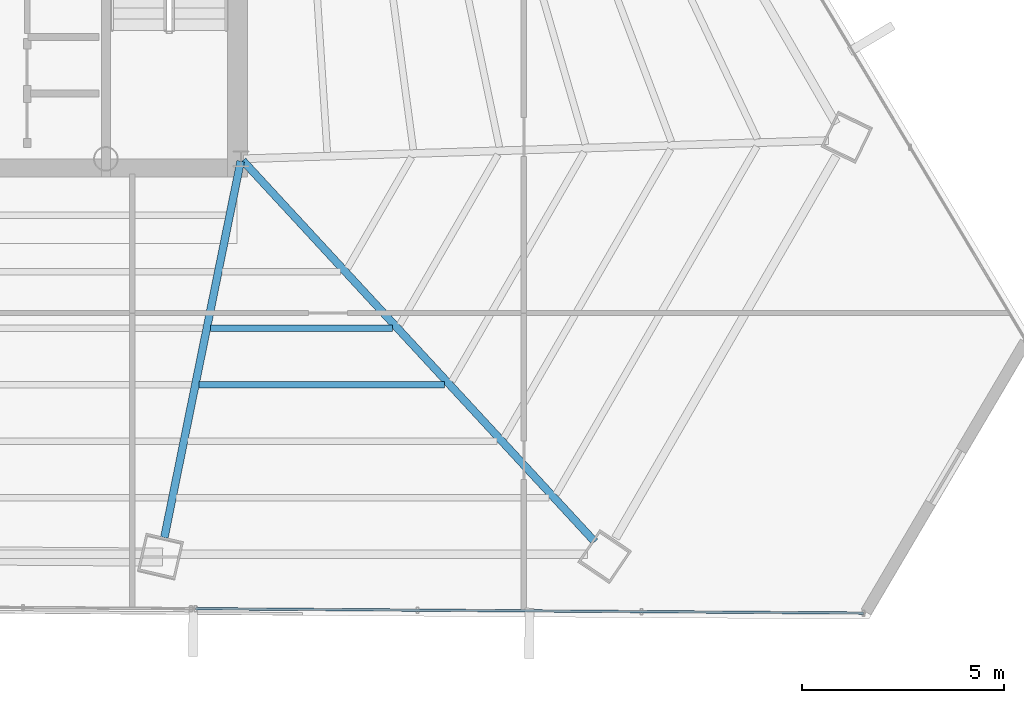
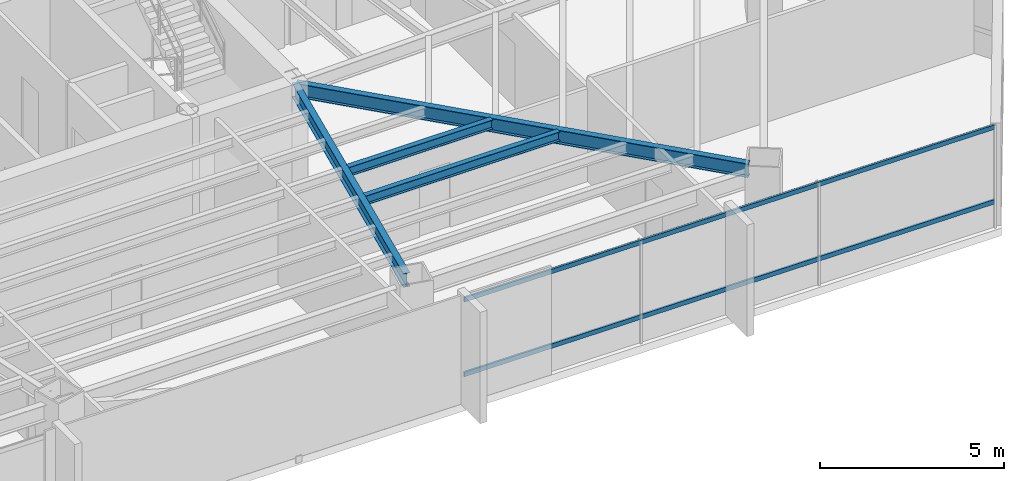
# One storey, part 17 of 41: 4 beams, 2 members, 1 element without a shape of its own.
"""IFC4 building model written with IfcOpenShell, lengths in metres."""

from ifc_helpers import new_model, si_unit, direction, frame, origin, origin_2d, place, context, subcontext, project, spatial, hollow_rectangle, i_section, extrude, source, transform, mapped, material, material_profile, profile_set, type_object, type_shapes, element, aggregate, save


model = new_model("IFC4")

# Units and contexts
model_context = context("Model", 3, precision=1e-05, world=origin(), true_north=direction((0.0, 1.0)))
body_context = subcontext(model_context, "Body", "Model", "MODEL_VIEW")
ifc_project = project(units=[si_unit("LENGTHUNIT", "METRE"), si_unit("AREAUNIT", "SQUARE_METRE"), si_unit("VOLUMEUNIT", "CUBIC_METRE"), si_unit("PLANEANGLEUNIT", "RADIAN"), si_unit("MASSUNIT", "GRAM", prefix="KILO")], contexts=[model_context])

# Site, building, storey
site_placement = place(None, origin())
site = spatial("IfcSite", under=ifc_project, at=site_placement, CompositionType="ELEMENT")
building_placement = place(site_placement, origin())
building = spatial("IfcBuilding", under=site, at=building_placement, Name="Caelisora Broadcast Tower", CompositionType="ELEMENT")
storey_placement = place(building_placement, frame((0.0, 0.0, 165.800048828125)))
storey = spatial("IfcBuildingStorey", under=building, at=storey_placement, Name="L43", CompositionType="ELEMENT", Elevation=165.800048828125)

# Beams
ifc_material_1 = material(Name="Steel Grade 350 (AS/NZS 3679.1)", Category="steel")
ifc_material_profile_1 = material_profile(ifc_material_1, i_section(OverallWidth=0.19091796875, OverallDepth=0.46044921875, WebThickness=0.010009765625, FlangeThickness=0.01611328125, at=origin_2d()), Name="Steel Grade 350 (AS/NZS 3679.1)")
ifc_profile_set_1 = profile_set([ifc_material_profile_1], Name="Steel Grade 350 (AS/NZS 3679.1)")
beam_type_1 = type_object("IfcBeamType", Name="PG06", PredefinedType="BEAM", material=ifc_profile_set_1)
shared_shape_1 = source(origin(), body_context, "Body", "SweptSolid", [
    extrude(i_section(OverallWidth=0.19091796875, OverallDepth=0.46044921875, WebThickness=0.010009765625, FlangeThickness=0.01611328125, at=origin_2d()), origin(), (0.0, 0.0, 1.0), 12.847412109375),
])
beam_1_placement = place(storey_placement, frame((45.540771484375, 17.35595703125, 3.169677734375), z_axis=(0.678501854369, -0.734598688821, 0.0), x_axis=(0.734598688821, 0.678501854369, 0.0)))
element("IfcBeam", 1, at=beam_1_placement, inside=storey, type_object=beam_type_1, Name="L43 beam PG06", PredefinedType="BEAM", context=body_context, shape_type="MappedRepresentation", body=[
    mapped(shared_shape_1, transform((0.0, 0.0, 0.0), scale=1.0)),
])
shared_shape_2 = source(origin(), body_context, "Body", "SweptSolid", [
    extrude(i_section(OverallWidth=0.19091796875, OverallDepth=0.46044921875, WebThickness=0.010009765625, FlangeThickness=0.01611328125, at=origin_2d()), origin(), (0.0, 0.0, 1.0), 9.509765625),
])
type_shapes(beam_type_1, [shared_shape_1, shared_shape_2])
beam_2_placement = place(storey_placement, frame((45.488037109375, 17.34130859375, 3.169677734375), z_axis=(-0.198756732109, -0.98004885666, 0.0), x_axis=(0.98004885666, -0.198756732109, 0.0)))
element("IfcBeam", 2, at=beam_2_placement, inside=storey, type_object=beam_type_1, Name="L43 beam PG06", PredefinedType="BEAM", context=body_context, shape_type="MappedRepresentation", body=[
    mapped(shared_shape_2, transform((0.0, 0.0, 0.0), scale=1.0)),
])
ifc_material_profile_2 = material_profile(ifc_material_1, i_section(OverallWidth=0.166015625, OverallDepth=0.30712890625, WebThickness=0.006591796875, FlangeThickness=0.01171875, at=origin_2d()), Name="Steel Grade 350 (AS/NZS 3679.1)")
ifc_profile_set_2 = profile_set([ifc_material_profile_2], Name="Steel Grade 350 (AS/NZS 3679.1)")
beam_type_2 = type_object("IfcBeamType", Name="SB03", PredefinedType="JOIST", material=ifc_profile_set_2)
shared_shape_3 = source(origin(), body_context, "Body", "SweptSolid", [
    extrude(i_section(OverallWidth=0.166015625, OverallDepth=0.30712890625, WebThickness=0.006591796875, FlangeThickness=0.01171875, at=origin_2d()), origin(), (0.0, 0.0, 1.0), 4.505126953125),
])
beam_3_placement = place(storey_placement, frame((44.743408203125, 13.2041015625, 3.246337890625), z_axis=(1.0, 0.0, 0.0), x_axis=(0.0, 1.0, 0.0)))
element("IfcBeam", 3, at=beam_3_placement, inside=storey, type_object=beam_type_2, Name="L43 beam SB03", PredefinedType="JOIST", context=body_context, shape_type="MappedRepresentation", body=[
    mapped(shared_shape_3, transform((0.0, 0.0, 0.0), scale=1.0)),
])
shared_shape_4 = source(origin(), body_context, "Body", "SweptSolid", [
    extrude(i_section(OverallWidth=0.166015625, OverallDepth=0.30712890625, WebThickness=0.006591796875, FlangeThickness=0.01171875, at=origin_2d()), origin(), (0.0, 0.0, 1.0), 6.08056640625),
])
type_shapes(beam_type_2, [shared_shape_3, shared_shape_4])
beam_4_placement = place(storey_placement, frame((44.459716796875, 11.805419921875, 3.246337890625), z_axis=(1.0, 0.0, 0.0), x_axis=(0.0, 1.0, 0.0)))
element("IfcBeam", 4, at=beam_4_placement, inside=storey, type_object=beam_type_2, Name="L43 beam SB03", PredefinedType="JOIST", context=body_context, shape_type="MappedRepresentation", body=[
    mapped(shared_shape_4, transform((0.0, 0.0, 0.0), scale=1.0)),
])

# Curtain wall, members
ifc_material_2 = material(Name="Unitised Aluminium and Low-E Glass Curtain Wall", Category="glass")
curtain_wall_type = type_object("IfcCurtainWallType", Name="CW-Z3", PredefinedType="NOTDEFINED", material=ifc_material_2)
curtain_wall_placement = place(storey_placement, origin())
curtain_wall = element("IfcCurtainWall", 5, at=curtain_wall_placement, inside=storey, type_object=curtain_wall_type, Name="L43 curtain wall CW-Z3", PredefinedType="NOTDEFINED")
ifc_material_3 = material(Name="Aluminium 6063-T6 Anodised Terracotta Bronze", Category="aluminium")
ifc_material_profile_3 = material_profile(ifc_material_3, hollow_rectangle(XDim=0.06005859375, YDim=0.14990234375, WallThickness=0.00341796875, at=origin_2d()), Name="Aluminium 6063-T6 Anodised Terracotta Bronze")
ifc_profile_set_3 = profile_set([ifc_material_profile_3], Name="Aluminium 6063-T6 Anodised Terracotta Bronze")
member_type = type_object("IfcMemberType", Name="CWT-02", PredefinedType="USERDEFINED", material=ifc_profile_set_3)
shared_shape_5 = source(origin(), body_context, "Body", "SweptSolid", [
    extrude(hollow_rectangle(XDim=0.06005859375, YDim=0.14990234375, WallThickness=0.00341796875, at=origin_2d()), origin(), (0.0, 0.0, 1.0), 16.541748046875),
])
type_shapes(member_type, [shared_shape_5])
member_1_placement = place(storey_placement, frame((60.910888671875, 6.1513671875, 0.849853515625), z_axis=(-0.999978432188, 0.006567736257, 0.0), x_axis=(-0.006567736257, -0.999978432188, 0.0)))
member_1 = element("IfcMember", 6, at=member_1_placement, type_object=member_type, Name="L43-CW-B05 transom #1", ObjectType="TRANSOM", PredefinedType="USERDEFINED", context=body_context, shape_type="MappedRepresentation", body=[
    mapped(shared_shape_5, transform((0.0, 0.0, 0.0), scale=1.0)),
])
member_2_placement = place(storey_placement, frame((60.910888671875, 6.1513671875, 3.320068359375), z_axis=(-0.999978432188, 0.006567736257, 0.0), x_axis=(-0.006567736257, -0.999978432188, 0.0)))
member_2 = element("IfcMember", 7, at=member_2_placement, type_object=member_type, Name="L43-CW-B05 transom #2", ObjectType="TRANSOM", PredefinedType="USERDEFINED", context=body_context, shape_type="MappedRepresentation", body=[
    mapped(shared_shape_5, transform((0.0, 0.0, 0.0), scale=1.0)),
])
aggregate(curtain_wall, [member_1, member_2])

save(model, "model.ifc")
